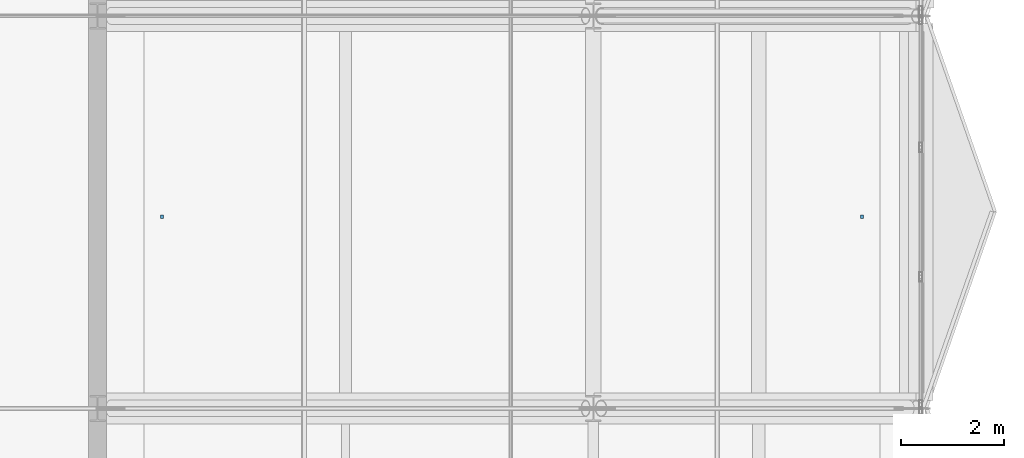
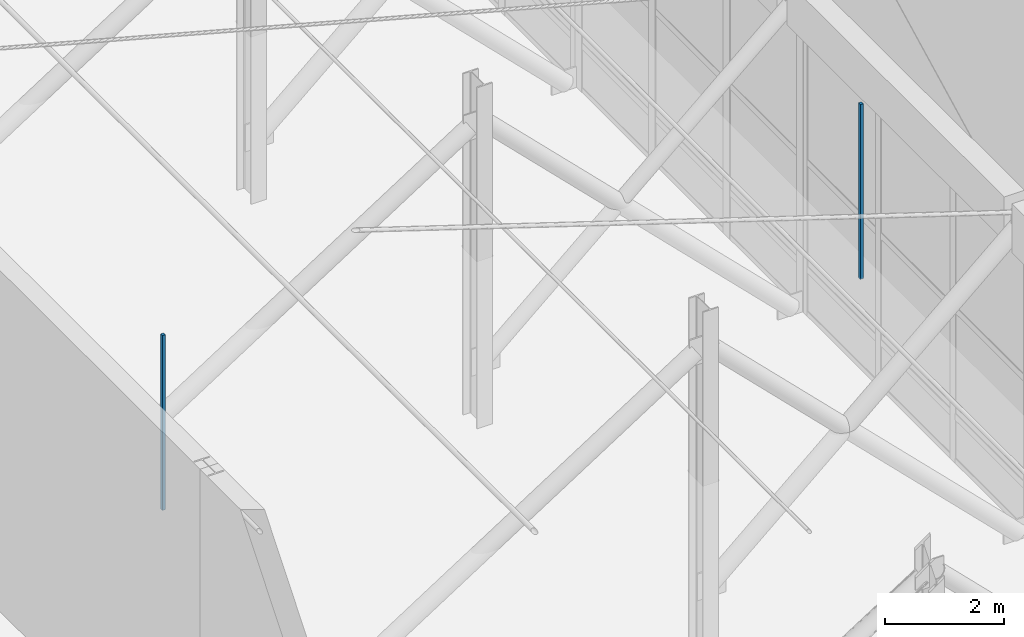
# One storey, part 37 of 46: 2 discrete accessories.
"""IFC4 building model written with IfcOpenShell, lengths in metres."""

from ifc_helpers import new_model, si_unit, direction, frame, origin, origin_2d, place, context, subcontext, project, spatial, rectangle, extrude, material, type_object, element, save


model = new_model("IFC4")

# Units and contexts
model_context = context("Model", 3, precision=1e-05, world=origin(), true_north=direction((0.0, 1.0)))
body_context = subcontext(model_context, "Body", "Model", "MODEL_VIEW")
ifc_project = project(units=[si_unit("LENGTHUNIT", "METRE"), si_unit("AREAUNIT", "SQUARE_METRE"), si_unit("VOLUMEUNIT", "CUBIC_METRE"), si_unit("PLANEANGLEUNIT", "RADIAN"), si_unit("MASSUNIT", "GRAM", prefix="KILO")], contexts=[model_context])

# Site, building, storey
site_placement = place(None, origin())
site = spatial("IfcSite", under=ifc_project, at=site_placement, CompositionType="ELEMENT")
building_placement = place(site_placement, origin())
building = spatial("IfcBuilding", under=site, at=building_placement, Name="Khelvaren Railside Concert Hall", CompositionType="ELEMENT")
storey_placement = place(building_placement, frame((0.0, 0.0, 19.800048828125)))
storey = spatial("IfcBuildingStorey", under=building, at=storey_placement, Name="L04", CompositionType="ELEMENT", Elevation=19.800048828125)

# Discrete accessories
ifc_material = material(Name="Galvanised steel acoustic ceiling hanger rod", Category="steel")
discrete_accessory_type = type_object("IfcDiscreteAccessoryType", Name="BRK62", PredefinedType="BRACKET", material=ifc_material)
for number, where, z_axis, x_axis, name in (
    (1, (41.25, 26.510009765625, 3.4296875), (0.0, 0.0, 1.0), (1.0, 0.0, 0.0), "Acoustic Ceiling Suspension Bracket 34-1"),
    (2, (54.800048828125, 26.510009765625, 3.4296875), (0.0, 0.0, 1.0), (1.0, 0.0, 0.0), "Acoustic Ceiling Suspension Bracket 34-2"),
):
    element("IfcDiscreteAccessory", number, at=place(storey_placement, frame(where, z_axis=z_axis, x_axis=x_axis)), inside=storey, type_object=discrete_accessory_type, Name=name, PredefinedType="BRACKET", context=body_context, shape_type="SweptSolid", body=[
        extrude(rectangle(XDim=0.06005859375, YDim=0.06005859375, at=origin_2d()), origin(), (0.0, 0.0, 1.0), 3.590087890625),
    ])

save(model, "model.ifc")
